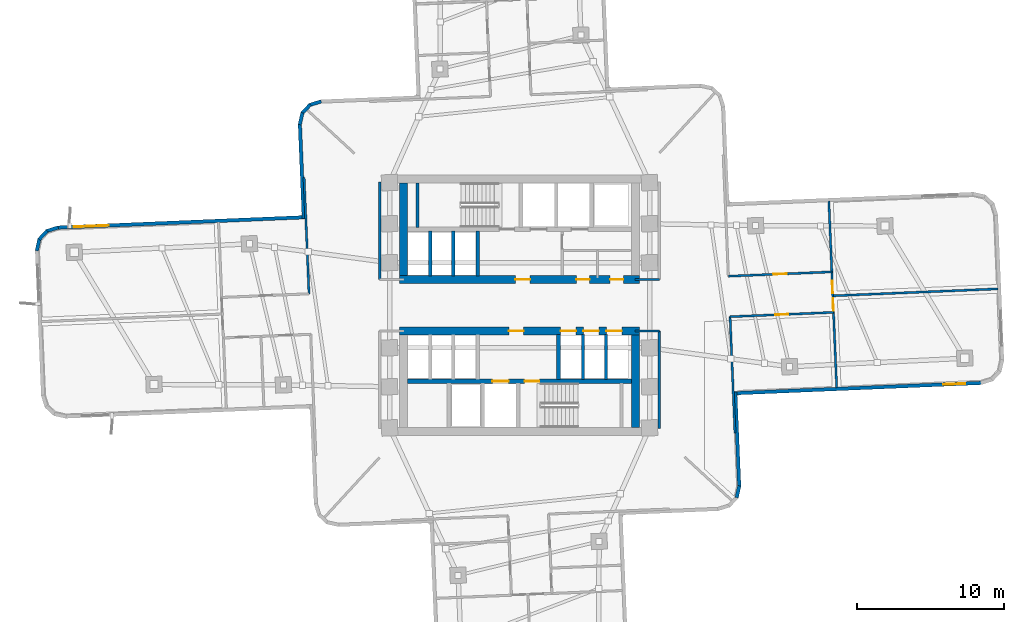
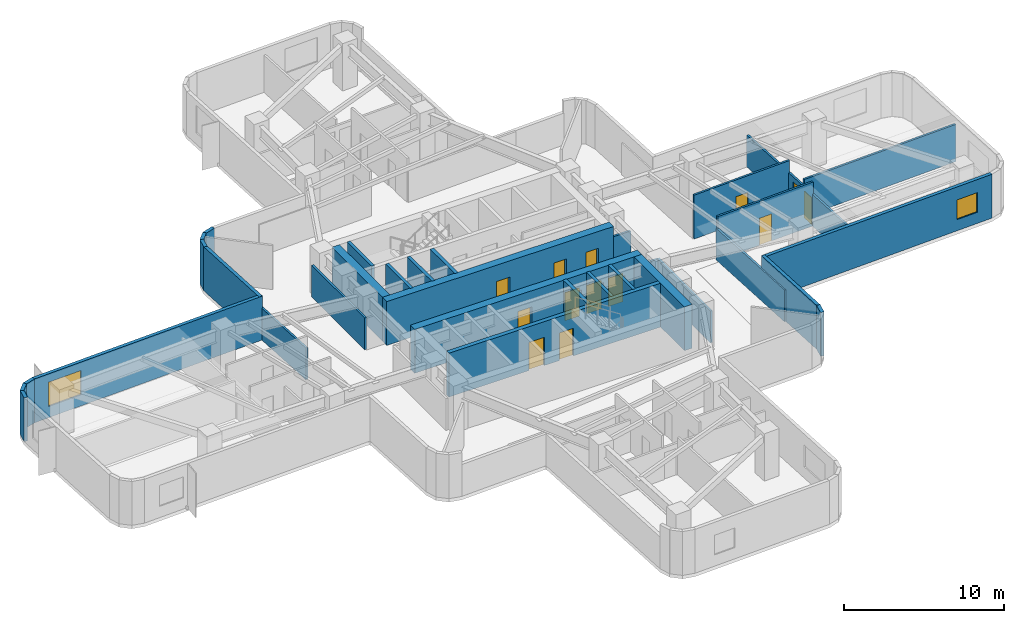
# One storey, part 4 of 10: 33 walls, 13 doors, 2 windows, 15 openings.
"""IFC4 building model written with IfcOpenShell, lengths in metres."""

from ifc_helpers import new_model, si_unit, direction, frame, frame_2d, origin, place, context, subcontext, project, spatial, rectangle, extrude, material, layer, layer_set, type_object, element, fill, save


model = new_model("IFC4")

# Units and contexts
model_context = context("Model", 3, precision=1e-05, world=origin(), true_north=direction((0.0, 1.0)))
body_context = subcontext(model_context, "Body", "Model", "MODEL_VIEW")
ifc_project = project(units=[si_unit("LENGTHUNIT", "METRE"), si_unit("AREAUNIT", "SQUARE_METRE"), si_unit("VOLUMEUNIT", "CUBIC_METRE"), si_unit("PLANEANGLEUNIT", "RADIAN"), si_unit("MASSUNIT", "GRAM", prefix="KILO")], contexts=[model_context])

# Site, building, storey
site_placement = place(None, origin())
site = spatial("IfcSite", under=ifc_project, at=site_placement, CompositionType="ELEMENT")
building_placement = place(site_placement, origin())
building = spatial("IfcBuilding", under=site, at=building_placement, Name="Solmarez Civic Tower", CompositionType="ELEMENT")
storey_placement = place(building_placement, frame((0.0, 0.0, 42.47998046875)))
storey = spatial("IfcBuildingStorey", under=building, at=storey_placement, Name="L10", CompositionType="ELEMENT", Elevation=42.47998046875)

# Wall, openings, doors
ifc_material_1 = material(Name="Concrete C60/75", Category="concrete")
ifc_layer_1 = layer(ifc_material_1, 0.550048828125)
ifc_layer_set_1 = layer_set([ifc_layer_1], Name="Concrete C60/75")
wall_type_1 = type_object("IfcWallType", Name="WALL-CORE-550", PredefinedType="SHEAR", material=ifc_layer_set_1)
wall_1_placement = place(storey_placement, frame((8.169921875, 1.75, 0.0), z_axis=(0.0, 0.0, 1.0), x_axis=(-1.0, 0.0, 0.0)))
wall_1 = element("IfcWall", 1, at=wall_1_placement, inside=storey, type_object=wall_type_1, Name="L10 Split-Core Structural Wall NCW-S-L10", PredefinedType="SHEAR", context=body_context, shape_type="SweptSolid", body=[
    extrude(rectangle(XDim=16.33984375, YDim=0.550048828125, at=frame_2d((8.169921875, 0.0))), origin(), (0.0, 0.0, 1.0), 3.340087890625),
])
opening_1_placement = place(wall_1_placement, frame((7.449951171875, 0.0, 0.0)))
opening_1 = element("IfcOpeningElement", 2, at=opening_1_placement, cuts=wall_1, Name="Opening D-04", PredefinedType="OPENING", context=body_context, shape_type="SweptSolid", body=[
    extrude(rectangle(XDim=1.0, YDim=2.10009765625, at=frame_2d((0.5, 1.050048828125))), frame((0.0, 0.284912109375, 0.0), z_axis=(0.0, -1.0, 0.0), x_axis=(1.0, 0.0, 0.0)), (0.0, 0.0, 1.0), 0.570068359375),
])
opening_2_placement = place(wall_1_placement, frame((3.39990234375, 0.0, 0.0)))
opening_2 = element("IfcOpeningElement", 3, at=opening_2_placement, cuts=wall_1, Name="Opening D-09", PredefinedType="OPENING", context=body_context, shape_type="SweptSolid", body=[
    extrude(rectangle(XDim=0.89990234375, YDim=2.06005859375, at=frame_2d((0.449951171875, 1.030029296875))), frame((0.0, 0.284912109375, 0.0), z_axis=(0.0, -1.0, 0.0), x_axis=(1.0, 0.0, 0.0)), (0.0, 0.0, 1.0), 0.570068359375),
])
opening_3_placement = place(wall_1_placement, frame((1.10009765625, 0.0, 0.0)))
opening_3 = element("IfcOpeningElement", 4, at=opening_3_placement, cuts=wall_1, Name="Opening D-09", PredefinedType="OPENING", context=body_context, shape_type="SweptSolid", body=[
    extrude(rectangle(XDim=0.89990234375, YDim=2.06005859375, at=frame_2d((0.449951171875, 1.030029296875))), frame((0.0, 0.284912109375, 0.0), z_axis=(0.0, -1.0, 0.0), x_axis=(1.0, 0.0, 0.0)), (0.0, 0.0, 1.0), 0.570068359375),
])
ifc_material_2 = material(Name="Steel-Faced Acoustic Fire Door", Category="steel")
door_type_1 = type_object("IfcDoorType", Name="DOOR-FD60-1000", OperationType="NOTDEFINED", PredefinedType="DOOR", material=ifc_material_2)
door_1_placement = place(opening_1_placement, origin())
door_1 = element("IfcDoor", 5, at=door_1_placement, inside=storey, type_object=door_type_1, Name="L10 North Firefighting Lobby Door", OperationType="SINGLE_SWING_LEFT", OverallHeight=2.10009765625, OverallWidth=1.0, PredefinedType="DOOR", context=body_context, shape_type="SweptSolid", body=[
    extrude(rectangle(XDim=1.0, YDim=2.10009765625, at=frame_2d((0.5, 1.050048828125))), frame((0.0, 0.02490234375, 0.0), z_axis=(0.0, -1.0, 0.0), x_axis=(1.0, 0.0, 0.0)), (0.0, 0.0, 1.0), 0.050048828125),
])
fill(opening_1, door_1)
ifc_material_3 = material(Name="Fire-Rated Service Core Door", Category="wood")
door_type_2 = type_object("IfcDoorType", Name="DOOR-FD60-900", OperationType="NOTDEFINED", PredefinedType="DOOR", material=ifc_material_3)
door_2_placement = place(opening_2_placement, origin())
door_2 = element("IfcDoor", 6, at=door_2_placement, inside=storey, type_object=door_type_2, Name="L10 Core WC Door", OperationType="SINGLE_SWING_LEFT", OverallHeight=2.06005859375, OverallWidth=0.89990234375, PredefinedType="DOOR", context=body_context, shape_type="SweptSolid", body=[
    extrude(rectangle(XDim=0.89990234375, YDim=2.06005859375, at=frame_2d((0.449951171875, 1.030029296875))), frame((0.0, 0.02490234375, 0.0), z_axis=(0.0, -1.0, 0.0), x_axis=(1.0, 0.0, 0.0)), (0.0, 0.0, 1.0), 0.050048828125),
])
fill(opening_2, door_2)
door_3_placement = place(opening_3_placement, origin())
door_3 = element("IfcDoor", 7, at=door_3_placement, inside=storey, type_object=door_type_2, Name="L10 Core CL Door", OperationType="SINGLE_SWING_RIGHT", OverallHeight=2.06005859375, OverallWidth=0.89990234375, PredefinedType="DOOR", context=body_context, shape_type="SweptSolid", body=[
    extrude(rectangle(XDim=0.89990234375, YDim=2.06005859375, at=frame_2d((0.449951171875, 1.030029296875))), frame((0.0, 0.02490234375, 0.0), z_axis=(0.0, -1.0, 0.0), x_axis=(1.0, 0.0, 0.0)), (0.0, 0.0, 1.0), 0.050048828125),
])
fill(opening_3, door_3)

# Wall
wall_2_placement = place(storey_placement, frame((-7.89501953125, 2.02490234375, 0.0), z_axis=(0.0, 0.0, 1.0), x_axis=(0.0, 1.0, 0.0)))
element("IfcWall", 8, at=wall_2_placement, inside=storey, type_object=wall_type_1, Name="L10 Split-Core Structural Wall NCW-W-L10", PredefinedType="SHEAR", context=body_context, shape_type="SweptSolid", body=[
    extrude(rectangle(XDim=6.28515625, YDim=0.550048828125, at=frame_2d((3.142578125, 0.0))), origin(), (0.0, 0.0, 1.0), 3.340087890625),
])

# Wall, openings, doors
wall_3_placement = place(storey_placement, frame((-8.169921875, -1.75, 0.0), z_axis=(0.0, 0.0, 1.0), x_axis=(1.0, 0.0, 0.0)))
wall_3 = element("IfcWall", 9, at=wall_3_placement, inside=storey, type_object=wall_type_1, Name="L10 Split-Core Structural Wall SCW-N-L10", PredefinedType="SHEAR", context=body_context, shape_type="SweptSolid", body=[
    extrude(rectangle(XDim=16.33984375, YDim=0.550048828125, at=frame_2d((8.169921875, 0.0))), origin(), (0.0, 0.0, 1.0), 3.340087890625),
])
opening_4_placement = place(wall_3_placement, frame((7.449951171875, 0.0, 0.0)))
opening_4 = element("IfcOpeningElement", 10, at=opening_4_placement, cuts=wall_3, Name="Opening D-04", PredefinedType="OPENING", context=body_context, shape_type="SweptSolid", body=[
    extrude(rectangle(XDim=1.0, YDim=2.10009765625, at=frame_2d((0.5, 1.050048828125))), frame((0.0, 0.284912109375, 0.0), z_axis=(0.0, -1.0, 0.0), x_axis=(1.0, 0.0, 0.0)), (0.0, 0.0, 1.0), 0.570068359375),
])
opening_5_placement = place(wall_3_placement, frame((10.965087890625, 0.0, 0.0)))
opening_5 = element("IfcOpeningElement", 11, at=opening_5_placement, cuts=wall_3, Name="Opening LD-01", PredefinedType="OPENING", context=body_context, shape_type="SweptSolid", body=[
    extrude(rectangle(XDim=1.050048828125, YDim=2.14990234375, at=frame_2d((0.52490234375, 1.074951171875))), frame((0.0, 0.284912109375, 0.0), z_axis=(0.0, -1.0, 0.0), x_axis=(1.0, 0.0, 0.0)), (0.0, 0.0, 1.0), 0.570068359375),
])
opening_6_placement = place(wall_3_placement, frame((12.52490234375, 0.0, 0.0)))
opening_6 = element("IfcOpeningElement", 12, at=opening_6_placement, cuts=wall_3, Name="Opening LD-01", PredefinedType="OPENING", context=body_context, shape_type="SweptSolid", body=[
    extrude(rectangle(XDim=1.050048828125, YDim=2.14990234375, at=frame_2d((0.52490234375, 1.074951171875))), frame((0.0, 0.284912109375, 0.0), z_axis=(0.0, -1.0, 0.0), x_axis=(1.0, 0.0, 0.0)), (0.0, 0.0, 1.0), 0.570068359375),
])
opening_7_placement = place(wall_3_placement, frame((14.0849609375, 0.0, 0.0)))
opening_7 = element("IfcOpeningElement", 13, at=opening_7_placement, cuts=wall_3, Name="Opening LD-01", PredefinedType="OPENING", context=body_context, shape_type="SweptSolid", body=[
    extrude(rectangle(XDim=1.050048828125, YDim=2.14990234375, at=frame_2d((0.52490234375, 1.074951171875))), frame((0.0, 0.284912109375, 0.0), z_axis=(0.0, -1.0, 0.0), x_axis=(1.0, 0.0, 0.0)), (0.0, 0.0, 1.0), 0.570068359375),
])
door_4_placement = place(opening_4_placement, origin())
door_4 = element("IfcDoor", 14, at=door_4_placement, inside=storey, type_object=door_type_1, Name="L10 South Firefighting Lobby Door", OperationType="SINGLE_SWING_RIGHT", OverallHeight=2.10009765625, OverallWidth=1.0, PredefinedType="DOOR", context=body_context, shape_type="SweptSolid", body=[
    extrude(rectangle(XDim=1.0, YDim=2.10009765625, at=frame_2d((0.5, 1.050048828125))), frame((0.0, 0.02490234375, 0.0), z_axis=(0.0, -1.0, 0.0), x_axis=(1.0, 0.0, 0.0)), (0.0, 0.0, 1.0), 0.050048828125),
])
fill(opening_4, door_4)
ifc_material_4 = material(Name="Bronze Passenger Lift Landing Sliding Door", Category="aluminium")
door_type_3 = type_object("IfcDoorType", Name="DOOR-LD-PAX-1050", OperationType="DOUBLE_DOOR_SLIDING", PredefinedType="DOOR", material=ifc_material_4)
door_5_placement = place(opening_5_placement, origin())
door_5 = element("IfcDoor", 15, at=door_5_placement, inside=storey, type_object=door_type_3, Name="L10 Low-Rise Lift Landing Door PL-L1", OperationType="DOUBLE_DOOR_SLIDING", OverallHeight=2.14990234375, OverallWidth=1.050048828125, PredefinedType="DOOR", context=body_context, shape_type="SweptSolid", body=[
    extrude(rectangle(XDim=1.050048828125, YDim=2.14990234375, at=frame_2d((0.52490234375, 1.074951171875))), frame((0.0, 0.02490234375, 0.0), z_axis=(0.0, -1.0, 0.0), x_axis=(1.0, 0.0, 0.0)), (0.0, 0.0, 1.0), 0.050048828125),
])
fill(opening_5, door_5)
door_6_placement = place(opening_6_placement, origin())
door_6 = element("IfcDoor", 16, at=door_6_placement, inside=storey, type_object=door_type_3, Name="L10 Low-Rise Lift Landing Door PL-L2", OperationType="DOUBLE_DOOR_SLIDING", OverallHeight=2.14990234375, OverallWidth=1.050048828125, PredefinedType="DOOR", context=body_context, shape_type="SweptSolid", body=[
    extrude(rectangle(XDim=1.050048828125, YDim=2.14990234375, at=frame_2d((0.52490234375, 1.074951171875))), frame((0.0, 0.02490234375, 0.0), z_axis=(0.0, -1.0, 0.0), x_axis=(1.0, 0.0, 0.0)), (0.0, 0.0, 1.0), 0.050048828125),
])
fill(opening_6, door_6)
door_7_placement = place(opening_7_placement, origin())
door_7 = element("IfcDoor", 17, at=door_7_placement, inside=storey, type_object=door_type_3, Name="L10 Low-Rise Lift Landing Door PL-L3", OperationType="DOUBLE_DOOR_SLIDING", OverallHeight=2.14990234375, OverallWidth=1.050048828125, PredefinedType="DOOR", context=body_context, shape_type="SweptSolid", body=[
    extrude(rectangle(XDim=1.050048828125, YDim=2.14990234375, at=frame_2d((0.52490234375, 1.074951171875))), frame((0.0, 0.02490234375, 0.0), z_axis=(0.0, -1.0, 0.0), x_axis=(1.0, 0.0, 0.0)), (0.0, 0.0, 1.0), 0.050048828125),
])
fill(opening_7, door_7)

# Walls
wall_4_placement = place(storey_placement, frame((7.89501953125, -2.02490234375, 0.0), z_axis=(0.0, 0.0, 1.0), x_axis=(0.0, -1.0, 0.0)))
element("IfcWall", 18, at=wall_4_placement, inside=storey, type_object=wall_type_1, Name="L10 Split-Core Structural Wall SCW-E-L10", PredefinedType="SHEAR", context=body_context, shape_type="SweptSolid", body=[
    extrude(rectangle(XDim=6.28515625, YDim=0.550048828125, at=frame_2d((3.142578125, 0.0))), origin(), (0.0, 0.0, 1.0), 3.340087890625),
])
ifc_material_5 = material(Name="Precast concrete C40/50", Category="concrete")
ifc_layer_2 = layer(ifc_material_5, 0.239990234375)
ifc_layer_set_2 = layer_set([ifc_layer_2], Name="Precast concrete C40/50")
wall_type_2 = type_object("IfcWallType", Name="WALL-EXT-240", PredefinedType="SOLIDWALL", material=ifc_layer_set_2)
wall_5_placement = place(storey_placement, frame((-32.8701171875, 3.70703125, 0.0), z_axis=(0.0, 0.0, 1.0), x_axis=(0.21711735544, 0.976145508604, 0.0)))
element("IfcWall", 19, at=wall_5_placement, inside=storey, type_object=wall_type_2, Name="L10 Exterior Precast Wall 7", PredefinedType="SOLIDWALL", context=body_context, shape_type="SweptSolid", body=[
    extrude(rectangle(XDim=0.829833984375, YDim=0.239990234375, at=frame_2d((0.4150390625, 0.0))), origin(), (0.0, 0.0, 1.0), 3.340087890625),
])
wall_6_placement = place(storey_placement, frame((-32.7119140625, 4.47509765625, 0.0), z_axis=(0.0, 0.0, 1.0), x_axis=(0.677693750404, 0.735344259965, 0.0)))
element("IfcWall", 20, at=wall_6_placement, inside=storey, type_object=wall_type_2, Name="L10 Exterior Precast Wall 8", PredefinedType="SOLIDWALL", context=body_context, shape_type="SweptSolid", body=[
    extrude(rectangle(XDim=0.81298828125, YDim=0.239990234375, at=frame_2d((0.406494140625, 0.0))), origin(), (0.0, 0.0, 1.0), 3.340087890625),
])
wall_7_placement = place(storey_placement, frame((-32.201904296875, 5.048095703125, 0.0), z_axis=(0.0, 0.0, 1.0), x_axis=(0.954814146828, 0.297203541393, 0.0)))
element("IfcWall", 21, at=wall_7_placement, inside=storey, type_object=wall_type_2, Name="L10 Exterior Precast Wall 9", PredefinedType="SOLIDWALL", context=body_context, shape_type="SweptSolid", body=[
    extrude(rectangle(XDim=0.83056640625, YDim=0.239990234375, at=frame_2d((0.415283203125, 0.0))), origin(), (0.0, 0.0, 1.0), 3.340087890625),
])

# Wall, opening, window
wall_8_placement = place(storey_placement, frame((-31.4580078125, 5.287109375, 0.0), z_axis=(0.0, 0.0, 1.0), x_axis=(0.999122484842, 0.041883890494, 0.0)))
wall_8 = element("IfcWall", 22, at=wall_8_placement, inside=storey, type_object=wall_type_2, Name="L10 Exterior Precast Wall 10", PredefinedType="SOLIDWALL", context=body_context, shape_type="SweptSolid", body=[
    extrude(rectangle(XDim=16.875, YDim=0.239990234375, at=frame_2d((8.4375, 0.0))), origin(), (0.0, 0.0, 1.0), 3.340087890625),
])
opening_8_placement = place(wall_8_placement, frame((1.10009765625, 0.0, 0.85009765625)))
opening_8 = element("IfcOpeningElement", 23, at=opening_8_placement, cuts=wall_8, Name="Opening W-06", PredefinedType="OPENING", context=body_context, shape_type="SweptSolid", body=[
    extrude(rectangle(XDim=2.39990234375, YDim=1.85009765625, at=frame_2d((1.199951171875, 0.925048828125))), frame((0.0, 0.1298828125, 0.0), z_axis=(0.0, -1.0, 0.0), x_axis=(1.0, 0.0, 0.0)), (0.0, 0.0, 1.0), 0.260009765625),
])
ifc_material_6 = material(Name="Solar Control Bronze-Tinted Insulating Glass", Category="glass")
window_type_1 = type_object("IfcWindowType", Name="WIN-2400X1850", PartitioningType="SINGLE_PANEL", PredefinedType="WINDOW", material=ifc_material_6)
window_1_placement = place(opening_8_placement, origin())
window_1 = element("IfcWindow", 24, at=window_1_placement, inside=storey, type_object=window_type_1, Name="L10 Exterior Facade Window 10", OverallHeight=1.85009765625, OverallWidth=2.39990234375, PartitioningType="SINGLE_PANEL", PredefinedType="WINDOW", context=body_context, shape_type="SweptSolid", body=[
    extrude(rectangle(XDim=2.39990234375, YDim=1.85009765625, at=frame_2d((1.199951171875, 0.925048828125))), frame((0.0, 0.030029296875, 0.0), z_axis=(0.0, -1.0, 0.0), x_axis=(1.0, 0.0, 0.0)), (0.0, 0.0, 1.0), 0.06005859375),
])
fill(opening_8, window_1)

# Walls
wall_9_placement = place(storey_placement, frame((-14.68994140625, 5.89404296875, 0.0), z_axis=(0.0, 0.0, 1.0), x_axis=(-0.041827173477, 0.999124860845, 0.0)))
element("IfcWall", 25, at=wall_9_placement, inside=storey, type_object=wall_type_2, Name="L10 Exterior Precast Wall 13", PredefinedType="SOLIDWALL", context=body_context, shape_type="SweptSolid", body=[
    extrude(rectangle(XDim=6.45556640625, YDim=0.239990234375, at=frame_2d((3.227783203125, 0.0))), origin(), (0.0, 0.0, 1.0), 3.340087890625),
])
wall_10_placement = place(storey_placement, frame((-14.964111328125, 12.294921875, 0.0), z_axis=(0.0, 0.0, 1.0), x_axis=(0.21736704137, 0.976089939158, 0.0)))
element("IfcWall", 26, at=wall_10_placement, inside=storey, type_object=wall_type_2, Name="L10 Exterior Precast Wall 14", PredefinedType="SOLIDWALL", context=body_context, shape_type="SweptSolid", body=[
    extrude(rectangle(XDim=0.828857421875, YDim=0.239990234375, at=frame_2d((0.41455078125, 0.0))), origin(), (0.0, 0.0, 1.0), 3.340087890625),
])
wall_11_placement = place(storey_placement, frame((-14.805908203125, 13.06201171875, 0.0), z_axis=(0.0, 0.0, 1.0), x_axis=(0.677693750404, 0.735344259965, 0.0)))
element("IfcWall", 27, at=wall_11_placement, inside=storey, type_object=wall_type_2, Name="L10 Exterior Precast Wall 15", PredefinedType="SOLIDWALL", context=body_context, shape_type="SweptSolid", body=[
    extrude(rectangle(XDim=0.81298828125, YDim=0.239990234375, at=frame_2d((0.406494140625, 0.0))), origin(), (0.0, 0.0, 1.0), 3.340087890625),
])
wall_12_placement = place(storey_placement, frame((-14.2958984375, 13.635009765625, 0.0), z_axis=(0.0, 0.0, 1.0), x_axis=(0.954396284631, 0.298542680168, 0.0)))
element("IfcWall", 28, at=wall_12_placement, inside=storey, type_object=wall_type_2, Name="L10 Exterior Precast Wall 16", PredefinedType="SOLIDWALL", context=body_context, shape_type="SweptSolid", body=[
    extrude(rectangle(XDim=0.830810546875, YDim=0.239990234375, at=frame_2d((0.41552734375, 0.0))), origin(), (0.0, 0.0, 1.0), 3.340087890625),
])

# Wall, opening, window
wall_13_placement = place(storey_placement, frame((31.4580078125, -5.287109375, 0.0), z_axis=(0.0, 0.0, 1.0), x_axis=(-0.999122484842, -0.041883890494, 0.0)))
wall_13 = element("IfcWall", 29, at=wall_13_placement, inside=storey, type_object=wall_type_2, Name="L10 Exterior Precast Wall 46", PredefinedType="SOLIDWALL", context=body_context, shape_type="SweptSolid", body=[
    extrude(rectangle(XDim=16.875, YDim=0.239990234375, at=frame_2d((8.4375, 0.0))), origin(), (0.0, 0.0, 1.0), 3.340087890625),
])
opening_9_placement = place(wall_13_placement, frame((1.10009765625, 0.0, 0.85009765625)))
opening_9 = element("IfcOpeningElement", 30, at=opening_9_placement, cuts=wall_13, Name="Opening W-14", PredefinedType="OPENING", context=body_context, shape_type="SweptSolid", body=[
    extrude(rectangle(XDim=1.5, YDim=1.5, at=frame_2d((0.75, 0.75))), frame((0.0, 0.1298828125, 0.0), z_axis=(0.0, -1.0, 0.0), x_axis=(1.0, 0.0, 0.0)), (0.0, 0.0, 1.0), 0.260009765625),
])
window_type_2 = type_object("IfcWindowType", Name="WIN-1500X1500", PartitioningType="SINGLE_PANEL", PredefinedType="WINDOW", material=ifc_material_6)
window_2_placement = place(opening_9_placement, origin())
window_2 = element("IfcWindow", 31, at=window_2_placement, inside=storey, type_object=window_type_2, Name="L10 Exterior Facade Window 46", OverallHeight=1.5, OverallWidth=1.5, PartitioningType="SINGLE_PANEL", PredefinedType="WINDOW", context=body_context, shape_type="SweptSolid", body=[
    extrude(rectangle(XDim=1.5, YDim=1.5, at=frame_2d((0.75, 0.75))), frame((0.0, 0.030029296875, 0.0), z_axis=(0.0, -1.0, 0.0), x_axis=(1.0, 0.0, 0.0)), (0.0, 0.0, 1.0), 0.06005859375),
])
fill(opening_9, window_2)

# Walls
wall_14_placement = place(storey_placement, frame((14.68994140625, -5.89404296875, 0.0), z_axis=(0.0, 0.0, 1.0), x_axis=(0.041827173477, -0.999124860845, 0.0)))
element("IfcWall", 32, at=wall_14_placement, inside=storey, type_object=wall_type_2, Name="L10 Exterior Precast Wall 49", PredefinedType="SOLIDWALL", context=body_context, shape_type="SweptSolid", body=[
    extrude(rectangle(XDim=6.45556640625, YDim=0.239990234375, at=frame_2d((3.227783203125, 0.0))), origin(), (0.0, 0.0, 1.0), 3.340087890625),
])
wall_15_placement = place(storey_placement, frame((14.964111328125, -12.294921875, 0.0), z_axis=(0.0, 0.0, 1.0), x_axis=(-0.21736704137, -0.976089939158, 0.0)))
element("IfcWall", 33, at=wall_15_placement, inside=storey, type_object=wall_type_2, Name="L10 Exterior Precast Wall 50", PredefinedType="SOLIDWALL", context=body_context, shape_type="SweptSolid", body=[
    extrude(rectangle(XDim=0.828857421875, YDim=0.239990234375, at=frame_2d((0.41455078125, 0.0))), origin(), (0.0, 0.0, 1.0), 3.340087890625),
])
ifc_material_7 = material(Name="Gypsum Board Acoustic Steel-Stud Partition", Category="steel")
ifc_layer_3 = layer(ifc_material_7, 0.14990234375)
ifc_layer_set_3 = layer_set([ifc_layer_3], Name="Gypsum Board Acoustic Steel-Stud Partition")
wall_type_3 = type_object("IfcWallType", Name="WALL-INT-FIRE-150", PredefinedType="PARTITIONING", material=ifc_layer_set_3)
wall_16_placement = place(storey_placement, frame((-9.52001953125, 1.75, 0.0), z_axis=(0.0, 0.0, 1.0), x_axis=(0.0, 1.0, 0.0)))
element("IfcWall", 34, at=wall_16_placement, inside=storey, type_object=wall_type_3, Name="L10 Interior Partition CHW-L10-WN1", PredefinedType="PARTITIONING", context=body_context, shape_type="SweptSolid", body=[
    extrude(rectangle(XDim=6.6298828125, YDim=0.14990234375, at=frame_2d((3.31494140625, 0.0))), origin(), (0.0, 0.0, 1.0), 2.4208984375),
])
wall_17_placement = place(storey_placement, frame((7.85009765625, 1.75, 0.0), z_axis=(0.0, 0.0, 1.0), x_axis=(1.0, 0.0, 0.0)))
element("IfcWall", 35, at=wall_17_placement, inside=storey, type_object=wall_type_3, Name="L10 Interior Partition CHW-L10-EN3", PredefinedType="PARTITIONING", context=body_context, shape_type="SweptSolid", body=[
    extrude(rectangle(XDim=1.669921875, YDim=0.14990234375, at=frame_2d((0.8349609375, 0.0))), origin(), (0.0, 0.0, 1.0), 2.405029296875),
])
wall_18_placement = place(storey_placement, frame((9.52001953125, -8.3798828125, 0.0), z_axis=(0.0, 0.0, 1.0), x_axis=(0.0, 1.0, 0.0)))
element("IfcWall", 36, at=wall_18_placement, inside=storey, type_object=wall_type_3, Name="L10 Interior Partition CHW-L10-ES1", PredefinedType="PARTITIONING", context=body_context, shape_type="SweptSolid", body=[
    extrude(rectangle(XDim=6.6298828125, YDim=0.14990234375, at=frame_2d((3.31494140625, 0.0))), origin(), (0.0, 0.0, 1.0), 2.4208984375),
])
wall_19_placement = place(storey_placement, frame((7.85009765625, -1.75, 0.0), z_axis=(0.0, 0.0, 1.0), x_axis=(1.0, 0.0, 0.0)))
element("IfcWall", 37, at=wall_19_placement, inside=storey, type_object=wall_type_3, Name="L10 Interior Partition CHW-L10-ES3", PredefinedType="PARTITIONING", context=body_context, shape_type="SweptSolid", body=[
    extrude(rectangle(XDim=1.669921875, YDim=0.14990234375, at=frame_2d((0.8349609375, 0.0))), origin(), (0.0, 0.0, 1.0), 2.405029296875),
])
ifc_layer_4 = layer(ifc_material_7, 0.14501953125)
ifc_layer_set_4 = layer_set([ifc_layer_4], Name="Gypsum Board Acoustic Steel-Stud Partition")
wall_type_4 = type_object("IfcWallType", Name="WALL-INT-PART-150", PredefinedType="PARTITIONING", material=ifc_layer_set_4)
wall_20_placement = place(storey_placement, frame((14.66796875, -8.714111328125, 0.0), z_axis=(0.0, 0.0, 1.0), x_axis=(-0.041882146625, 0.999122557945, 0.0)))
element("IfcWall", 38, at=wall_20_placement, inside=storey, type_object=wall_type_4, Name="L10 Interior Partition PT-L10-E-EFR", PredefinedType="PARTITIONING", context=body_context, shape_type="SweptSolid", body=[
    extrude(rectangle(XDim=7.951171875, YDim=0.14501953125, at=frame_2d((3.9755859375, 0.0))), origin(), (0.0, 0.0, 1.0), 2.4208984375),
])

# Wall, opening, door
wall_21_placement = place(storey_placement, frame((21.262939453125, 2.27197265625, 0.0), z_axis=(0.0, 0.0, 1.0), x_axis=(-0.999124408039, -0.041837988246, 0.0)))
wall_21 = element("IfcWall", 39, at=wall_21_placement, inside=storey, type_object=wall_type_4, Name="L10 Interior Partition PT-L10-E-SL", PredefinedType="PARTITIONING", context=body_context, shape_type="SweptSolid", body=[
    extrude(rectangle(XDim=7.049072265625, YDim=0.14501953125, at=frame_2d((3.5244140625, 0.0))), origin(), (0.0, 0.0, 1.0), 3.340087890625),
])
opening_10_placement = place(wall_21_placement, frame((3.073974609375, 0.0, 0.0)))
opening_10 = element("IfcOpeningElement", 40, at=opening_10_placement, cuts=wall_21, Name="Opening D-08", PredefinedType="OPENING", context=body_context, shape_type="SweptSolid", body=[
    extrude(rectangle(XDim=0.89990234375, YDim=2.06005859375, at=frame_2d((0.449951171875, 1.030029296875))), frame((0.0, 0.08251953125, 0.0), z_axis=(0.0, -1.0, 0.0), x_axis=(1.0, 0.0, 0.0)), (0.0, 0.0, 1.0), 0.1650390625),
])
ifc_material_8 = material(Name="Solid-Core Timber Office Door", Category="wood")
door_type_4 = type_object("IfcDoorType", Name="DOOR-INT-900", OperationType="NOTDEFINED", PredefinedType="DOOR", material=ifc_material_8)
door_8_placement = place(opening_10_placement, origin())
door_8 = element("IfcDoor", 41, at=door_8_placement, inside=storey, type_object=door_type_4, Name="L10 Citizen Consultation Room East Door", OperationType="SINGLE_SWING_LEFT", OverallHeight=2.06005859375, OverallWidth=0.89990234375, PredefinedType="DOOR", context=body_context, shape_type="SweptSolid", body=[
    extrude(rectangle(XDim=0.89990234375, YDim=2.06005859375, at=frame_2d((0.449951171875, 1.030029296875))), frame((0.0, 0.02490234375, 0.0), z_axis=(0.0, -1.0, 0.0), x_axis=(1.0, 0.0, 0.0)), (0.0, 0.0, 1.0), 0.050048828125),
])
fill(opening_10, door_8)

wall_22_placement = place(storey_placement, frame((14.3349609375, -0.780029296875, 0.0), z_axis=(0.0, 0.0, 1.0), x_axis=(0.999124650485, 0.041832198038, 0.0)))
wall_22 = element("IfcWall", 42, at=wall_22_placement, inside=storey, type_object=wall_type_4, Name="L10 Interior Partition PT-L10-E-SR", PredefinedType="PARTITIONING", context=body_context, shape_type="SweptSolid", body=[
    extrude(rectangle(XDim=7.050048828125, YDim=0.14501953125, at=frame_2d((3.52490234375, 0.0))), origin(), (0.0, 0.0, 1.0), 3.340087890625),
])
opening_11_placement = place(wall_22_placement, frame((3.074951171875, 0.0, 0.0)))
opening_11 = element("IfcOpeningElement", 43, at=opening_11_placement, cuts=wall_22, Name="Opening D-08", PredefinedType="OPENING", context=body_context, shape_type="SweptSolid", body=[
    extrude(rectangle(XDim=0.89990234375, YDim=2.06005859375, at=frame_2d((0.449951171875, 1.030029296875))), frame((0.0, 0.08251953125, 0.0), z_axis=(0.0, -1.0, 0.0), x_axis=(1.0, 0.0, 0.0)), (0.0, 0.0, 1.0), 0.1650390625),
])
door_9_placement = place(opening_11_placement, origin())
door_9 = element("IfcDoor", 44, at=door_9_placement, inside=storey, type_object=door_type_4, Name="L10 Policy Administration Office East Door", OperationType="SINGLE_SWING_RIGHT", OverallHeight=2.06005859375, OverallWidth=0.89990234375, PredefinedType="DOOR", context=body_context, shape_type="SweptSolid", body=[
    extrude(rectangle(XDim=0.89990234375, YDim=2.06005859375, at=frame_2d((0.449951171875, 1.030029296875))), frame((0.0, 0.02490234375, 0.0), z_axis=(0.0, -1.0, 0.0), x_axis=(1.0, 0.0, 0.0)), (0.0, 0.0, 1.0), 0.050048828125),
])
fill(opening_11, door_9)

# Wall
wall_23_placement = place(storey_placement, frame((21.39208984375, 0.64599609375, 0.0), z_axis=(0.0, 0.0, 1.0), x_axis=(0.999122039379, 0.041894515479, 0.0)))
element("IfcWall", 45, at=wall_23_placement, inside=storey, type_object=wall_type_4, Name="L10 Interior Partition PT-L10-E-TM", PredefinedType="PARTITIONING", context=body_context, shape_type="SweptSolid", body=[
    extrude(rectangle(XDim=11.194580078125, YDim=0.14501953125, at=frame_2d((5.59716796875, 0.0))), origin(), (0.0, 0.0, 1.0), 2.83203125),
])

# Wall, openings, doors
wall_24_placement = place(storey_placement, frame((21.06201171875, 7.0830078125, 0.0), z_axis=(0.0, 0.0, 1.0), x_axis=(0.041855051962, -0.999123693356, 0.0)))
wall_24 = element("IfcWall", 46, at=wall_24_placement, inside=storey, type_object=wall_type_4, Name="L10 Interior Partition PT-L10-E-END", PredefinedType="PARTITIONING", context=body_context, shape_type="SweptSolid", body=[
    extrude(rectangle(XDim=12.710205078125, YDim=0.14501953125, at=frame_2d((6.35498046875, 0.0))), origin(), (0.0, 0.0, 1.0), 2.4208984375),
])
opening_12_placement = place(wall_24_placement, frame((6.614990234375, 0.0, 0.0)))
opening_12 = element("IfcOpeningElement", 47, at=opening_12_placement, cuts=wall_24, Name="Opening D-14", PredefinedType="OPENING", context=body_context, shape_type="SweptSolid", body=[
    extrude(rectangle(XDim=0.860107421875, YDim=2.0400390625, at=frame_2d((0.43017578125, 1.02001953125))), frame((0.0, 0.08251953125, 0.0), z_axis=(0.0, -1.0, 0.0), x_axis=(1.0, 0.0, 0.0)), (0.0, 0.0, 1.0), 0.1650390625),
])
opening_13_placement = place(wall_24_placement, frame((5.4150390625, 0.0, 0.0)))
opening_13 = element("IfcOpeningElement", 48, at=opening_13_placement, cuts=wall_24, Name="Opening D-14", PredefinedType="OPENING", context=body_context, shape_type="SweptSolid", body=[
    extrude(rectangle(XDim=0.860107421875, YDim=2.0400390625, at=frame_2d((0.43017578125, 1.02001953125))), frame((0.0, 0.08251953125, 0.0), z_axis=(0.0, -1.0, 0.0), x_axis=(1.0, 0.0, 0.0)), (0.0, 0.0, 1.0), 0.1650390625),
])
ifc_material_9 = material(Name="Timber Storage and Pantry Door", Category="wood")
door_type_5 = type_object("IfcDoorType", Name="DOOR-INT-850", OperationType="NOTDEFINED", PredefinedType="DOOR", material=ifc_material_9)
door_10_placement = place(opening_12_placement, origin())
door_10 = element("IfcDoor", 49, at=door_10_placement, inside=storey, type_object=door_type_5, Name="L10 Legal Counselling Room Sixth East Door", OperationType="SINGLE_SWING_RIGHT", OverallHeight=2.0400390625, OverallWidth=0.860107421875, PredefinedType="DOOR", context=body_context, shape_type="SweptSolid", body=[
    extrude(rectangle(XDim=0.860107421875, YDim=2.0400390625, at=frame_2d((0.43017578125, 1.02001953125))), frame((0.0, 0.02490234375, 0.0), z_axis=(0.0, -1.0, 0.0), x_axis=(1.0, 0.0, 0.0)), (0.0, 0.0, 1.0), 0.050048828125),
])
fill(opening_12, door_10)
door_11_placement = place(opening_13_placement, origin())
door_11 = element("IfcDoor", 50, at=door_11_placement, inside=storey, type_object=door_type_5, Name="L10 Directorate Office Fifth East Door", OperationType="SINGLE_SWING_LEFT", OverallHeight=2.0400390625, OverallWidth=0.860107421875, PredefinedType="DOOR", context=body_context, shape_type="SweptSolid", body=[
    extrude(rectangle(XDim=0.860107421875, YDim=2.0400390625, at=frame_2d((0.43017578125, 1.02001953125))), frame((0.0, 0.02490234375, 0.0), z_axis=(0.0, -1.0, 0.0), x_axis=(1.0, 0.0, 0.0)), (0.0, 0.0, 1.0), 0.050048828125),
])
fill(opening_13, door_11)

# Wall
wall_25_placement = place(storey_placement, frame((-14.66796875, 8.714111328125, 0.0), z_axis=(0.0, 0.0, 1.0), x_axis=(0.041882146625, -0.999122557945, 0.0)))
element("IfcWall", 51, at=wall_25_placement, inside=storey, type_object=wall_type_4, Name="L10 Interior Partition PT-L10-W-EFR", PredefinedType="PARTITIONING", context=body_context, shape_type="SweptSolid", body=[
    extrude(rectangle(XDim=7.951171875, YDim=0.14501953125, at=frame_2d((3.9755859375, 0.0))), origin(), (0.0, 0.0, 1.0), 2.4208984375),
])

# Wall, openings, doors
ifc_material_10 = material(Name="Concrete C50/60", Category="concrete")
ifc_layer_5 = layer(ifc_material_10, 0.300048828125)
ifc_layer_set_5 = layer_set([ifc_layer_5], Name="Concrete C50/60")
wall_type_5 = type_object("IfcWallType", Name="WALL-STR-300", PredefinedType="SOLIDWALL", material=ifc_layer_set_5)
wall_26_placement = place(storey_placement, frame((-7.6201171875, -5.179931640625, 0.0), z_axis=(0.0, 0.0, 1.0), x_axis=(1.0, 0.0, 0.0)))
wall_26 = element("IfcWall", 52, at=wall_26_placement, inside=storey, type_object=wall_type_5, Name="L10 Split-Core Structural Wall SCW-M-L10", PredefinedType="SOLIDWALL", context=body_context, shape_type="SweptSolid", body=[
    extrude(rectangle(XDim=15.240234375, YDim=0.300048828125, at=frame_2d((7.6201171875, 0.0))), origin(), (0.0, 0.0, 1.0), 3.340087890625),
])
opening_14_placement = place(wall_26_placement, frame((5.77001953125, 0.0, 0.0)))
opening_14 = element("IfcOpeningElement", 53, at=opening_14_placement, cuts=wall_26, Name="Opening LD-02", PredefinedType="OPENING", context=body_context, shape_type="SweptSolid", body=[
    extrude(rectangle(XDim=1.10009765625, YDim=2.14990234375, at=frame_2d((0.550048828125, 1.074951171875))), frame((0.0, 0.159912109375, 0.0), z_axis=(0.0, -1.0, 0.0), x_axis=(1.0, 0.0, 0.0)), (0.0, 0.0, 1.0), 0.320068359375),
])
opening_15_placement = place(wall_26_placement, frame((7.969970703125, 0.0, 0.0)))
opening_15 = element("IfcOpeningElement", 54, at=opening_15_placement, cuts=wall_26, Name="Opening D-05", PredefinedType="OPENING", context=body_context, shape_type="SweptSolid", body=[
    extrude(rectangle(XDim=1.0, YDim=2.10009765625, at=frame_2d((0.5, 1.050048828125))), frame((0.0, 0.159912109375, 0.0), z_axis=(0.0, -1.0, 0.0), x_axis=(1.0, 0.0, 0.0)), (0.0, 0.0, 1.0), 0.320068359375),
])
ifc_material_11 = material(Name="Fire-Rated Stairwell Exit Door", Category="wood")
door_type_6 = type_object("IfcDoorType", Name="DOOR-FD90-1000", OperationType="NOTDEFINED", PredefinedType="DOOR", material=ifc_material_11)
door_12_placement = place(opening_15_placement, origin())
door_12 = element("IfcDoor", 55, at=door_12_placement, inside=storey, type_object=door_type_6, Name="L10 South Exit Stair Door ST-2", OperationType="SINGLE_SWING_RIGHT", OverallHeight=2.10009765625, OverallWidth=1.0, PredefinedType="DOOR", context=body_context, shape_type="SweptSolid", body=[
    extrude(rectangle(XDim=1.0, YDim=2.10009765625, at=frame_2d((0.5, 1.050048828125))), frame((0.0, 0.02490234375, 0.0), z_axis=(0.0, -1.0, 0.0), x_axis=(1.0, 0.0, 0.0)), (0.0, 0.0, 1.0), 0.050048828125),
])
fill(opening_15, door_12)
ifc_material_12 = material(Name="Stainless Firefighting Lift Landing Sliding Door", Category="aluminium")
door_type_7 = type_object("IfcDoorType", Name="DOOR-LD-FF-1100", OperationType="DOUBLE_DOOR_SLIDING", PredefinedType="DOOR", material=ifc_material_12)
door_13_placement = place(opening_14_placement, origin())
door_13 = element("IfcDoor", 56, at=door_13_placement, inside=storey, type_object=door_type_7, Name="L10 Firefighting Lift Landing Door FFL-2", OperationType="DOUBLE_DOOR_SLIDING", OverallHeight=2.14990234375, OverallWidth=1.10009765625, PredefinedType="DOOR", context=body_context, shape_type="SweptSolid", body=[
    extrude(rectangle(XDim=1.10009765625, YDim=2.14990234375, at=frame_2d((0.550048828125, 1.074951171875))), frame((0.0, 0.02490234375, 0.0), z_axis=(0.0, -1.0, 0.0), x_axis=(1.0, 0.0, 0.0)), (0.0, 0.0, 1.0), 0.050048828125),
])
fill(opening_14, door_13)

# Walls
wall_27_placement = place(storey_placement, frame((-6.949951171875, 5.280029296875, 0.0), z_axis=(0.0, 0.0, 1.0), x_axis=(0.0, 1.0, 0.0)))
element("IfcWall", 57, at=wall_27_placement, inside=storey, type_object=wall_type_5, Name="L10 Split-Core Structural Wall SHW-NW-L10", PredefinedType="SOLIDWALL", context=body_context, shape_type="SweptSolid", body=[
    extrude(rectangle(XDim=3.06005859375, YDim=0.219970703125, at=frame_2d((1.530029296875, 0.0))), origin(), (0.0, 0.0, 1.0), 3.340087890625),
])
for number, where, z_axis, x_axis, name in (
    (58, (-2.85009765625, 1.97998046875, 0.0), (0.0, 0.0, 1.0), (0.0, 1.0, 0.0), "L10 Split-Core Structural Wall SHW-NL1-L10"),
    (59, (2.64990234375, -5.050048828125, 0.0), (0.0, 0.0, 1.0), (0.0, 1.0, 0.0), "L10 Split-Core Structural Wall SHW-SL2-L10"),
):
    element("IfcWall", number, at=place(storey_placement, frame(where, z_axis=z_axis, x_axis=x_axis)), inside=storey, type_object=wall_type_5, Name=name, PredefinedType="SOLIDWALL", context=body_context, shape_type="SweptSolid", body=[
        extrude(rectangle(XDim=3.070068359375, YDim=0.25, at=frame_2d((1.53515625, 0.0))), origin(), (0.0, 0.0, 1.0), 3.340087890625),
    ])
for number, where, z_axis, x_axis, name in (
    (60, (-6.080078125, 1.97998046875, 0.0), (0.0, 0.0, 1.0), (0.0, 1.0, 0.0), "L10 Split-Core Structural Wall SHW-PLH-L10-1"),
    (61, (-4.52001953125, 1.97998046875, 0.0), (0.0, 0.0, 1.0), (0.0, 1.0, 0.0), "L10 Split-Core Structural Wall SHW-PLH-L10-2"),
    (62, (4.320068359375, -5.050048828125, 0.0), (0.0, 0.0, 1.0), (0.0, 1.0, 0.0), "L10 Split-Core Structural Wall SHW-PLL-L10-1"),
    (63, (5.8798828125, -5.050048828125, 0.0), (0.0, 0.0, 1.0), (0.0, 1.0, 0.0), "L10 Split-Core Structural Wall SHW-PLL-L10-2"),
):
    element("IfcWall", number, at=place(storey_placement, frame(where, z_axis=z_axis, x_axis=x_axis)), inside=storey, type_object=wall_type_5, Name=name, PredefinedType="SOLIDWALL", context=body_context, shape_type="SweptSolid", body=[
        extrude(rectangle(XDim=3.070068359375, YDim=0.219970703125, at=frame_2d((1.53515625, 0.0))), origin(), (0.0, 0.0, 1.0), 3.340087890625),
    ])

save(model, "model.ifc")
